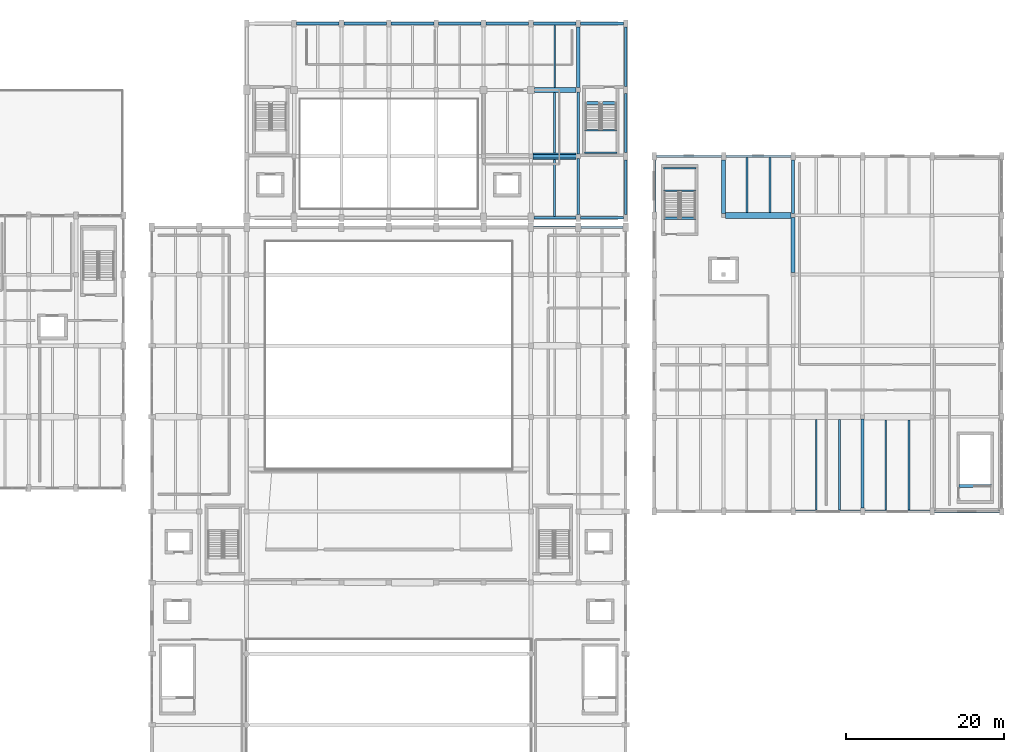
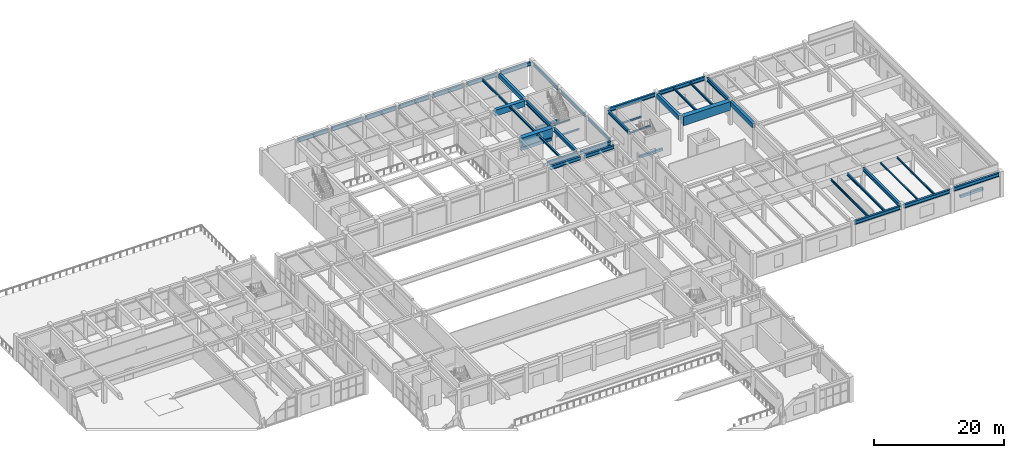
# One storey, part 43 of 80: 47 beams.
"""IFC4 building model written with IfcOpenShell, lengths in metres."""

from ifc_helpers import new_model, si_unit, direction, frame, origin, origin_2d, place, context, subcontext, project, spatial, rectangle, i_section, extrude, material, material_profile, profile_set, type_object, element, save


model = new_model("IFC4")

# Units and contexts
model_context = context("Model", 3, precision=1e-05, world=origin(), true_north=direction((0.0, 1.0)))
body_context = subcontext(model_context, "Body", "Model", "MODEL_VIEW")
ifc_project = project(units=[si_unit("LENGTHUNIT", "METRE"), si_unit("AREAUNIT", "SQUARE_METRE"), si_unit("VOLUMEUNIT", "CUBIC_METRE"), si_unit("PLANEANGLEUNIT", "RADIAN"), si_unit("MASSUNIT", "GRAM", prefix="KILO")], contexts=[model_context])

# Site, building, storey
site_placement = place(None, origin())
site = spatial("IfcSite", under=ifc_project, at=site_placement, CompositionType="ELEMENT")
building_placement = place(site_placement, origin())
building = spatial("IfcBuilding", under=site, at=building_placement, Name="Vaelkrest Opera House", CompositionType="ELEMENT")
storey_placement = place(building_placement, frame((0.0, 0.0, 15.0)))
storey = spatial("IfcBuildingStorey", under=building, at=storey_placement, Name="L03", CompositionType="ELEMENT", Elevation=15.0)

# Beams
ifc_material_1 = material(Name="Concrete C50/60", Category="concrete")
ifc_material_profile_1 = material_profile(ifc_material_1, rectangle(XDim=0.449951171875, YDim=0.75, at=origin_2d()), Name="RCB450X750")
ifc_profile_set_1 = profile_set([ifc_material_profile_1], Name="Concrete C50/60")
beam_type_1 = type_object("IfcBeamType", Name="B02", PredefinedType="BEAM", material=ifc_profile_set_1)
beam_1_placement = place(storey_placement, frame((24.0, 33.875, 4.1298828125), z_axis=(0.0, 1.0, 0.0), x_axis=(-1.0, 0.0, 0.0)))
element("IfcBeam", 1, at=beam_1_placement, inside=storey, type_object=beam_type_1, Name="Beam BM-V2-L03-1075", PredefinedType="BEAM", context=body_context, shape_type="SweptSolid", body=[
    extrude(rectangle(XDim=0.449951171875, YDim=0.75, at=origin_2d()), origin(), (0.0, 0.0, 1.0), 7.675048828125),
])
ifc_material_profile_2 = material_profile(ifc_material_1, rectangle(XDim=0.5, YDim=0.85009765625, at=origin_2d()), Name="RCB500X850")
ifc_profile_set_2 = profile_set([ifc_material_profile_2], Name="Concrete C50/60")
beam_type_2 = type_object("IfcBeamType", Name="B03", PredefinedType="BEAM", material=ifc_profile_set_2)
beam_2_placement = place(storey_placement, frame((42.39990234375, 17.949951171875, 4.080078125), z_axis=(0.0, 1.0, 0.0), x_axis=(-1.0, 0.0, 0.0)))
element("IfcBeam", 2, at=beam_2_placement, inside=storey, type_object=beam_type_2, Name="Beam BM-V4-L03-2368", PredefinedType="BEAM", context=body_context, shape_type="SweptSolid", body=[
    extrude(rectangle(XDim=0.5, YDim=0.85009765625, at=origin_2d()), origin(), (0.0, 0.0, 1.0), 6.800048828125),
])
beam_3_placement = place(storey_placement, frame((51.199951171875, 10.449951171875, 4.080078125), z_axis=(0.0, 1.0, 0.0), x_axis=(-1.0, 0.0, 0.0)))
element("IfcBeam", 3, at=beam_3_placement, inside=storey, type_object=beam_type_2, Name="Beam BM-V4-L03-2372", PredefinedType="BEAM", context=body_context, shape_type="SweptSolid", body=[
    extrude(rectangle(XDim=0.5, YDim=0.85009765625, at=origin_2d()), origin(), (0.0, 0.0, 1.0), 7.0),
])
ifc_material_profile_3 = material_profile(ifc_material_1, rectangle(XDim=0.60009765625, YDim=1.10009765625, at=origin_2d()), Name="RCB600X1100")
ifc_profile_set_3 = profile_set([ifc_material_profile_3], Name="Concrete C50/60")
beam_type_3 = type_object("IfcBeamType", Name="B05", PredefinedType="BEAM", material=ifc_profile_set_3)
beam_4_placement = place(storey_placement, frame((18.449951171875, 33.60009765625, 3.955078125), z_axis=(1.0, 0.0, 0.0), x_axis=(0.0, 1.0, 0.0)))
element("IfcBeam", 4, at=beam_4_placement, inside=storey, type_object=beam_type_3, Name="Beam BM-V2-L03-1046", PredefinedType="BEAM", context=body_context, shape_type="SweptSolid", body=[
    extrude(rectangle(XDim=0.60009765625, YDim=1.10009765625, at=origin_2d()), origin(), (0.0, 0.0, 1.0), 5.275146484375),
])
ifc_material_profile_4 = material_profile(ifc_material_1, rectangle(XDim=0.800048828125, YDim=1.64990234375, at=origin_2d()), Name="RCB800X1650")
ifc_profile_set_4 = profile_set([ifc_material_profile_4], Name="Concrete C50/60")
beam_type_4 = type_object("IfcBeamType", Name="B07", PredefinedType="BEAM", material=ifc_profile_set_4)
beam_5_placement = place(storey_placement, frame((18.27490234375, 25.199951171875, 3.679931640625), z_axis=(1.0, 0.0, 0.0), x_axis=(0.0, 1.0, 0.0)))
element("IfcBeam", 5, at=beam_5_placement, inside=storey, type_object=beam_type_4, Name="Beam BM-V2-L03-1040", PredefinedType="BEAM", context=body_context, shape_type="SweptSolid", body=[
    extrude(rectangle(XDim=0.800048828125, YDim=1.64990234375, at=origin_2d()), origin(), (0.0, 0.0, 1.0), 5.4501953125),
])
beam_6_placement = place(storey_placement, frame((42.64990234375, 17.699951171875, 3.679931640625), z_axis=(1.0, 0.0, 0.0), x_axis=(0.0, 1.0, 0.0)))
element("IfcBeam", 6, at=beam_6_placement, inside=storey, type_object=beam_type_4, Name="Beam BM-V4-L03-2352", PredefinedType="BEAM", context=body_context, shape_type="SweptSolid", body=[
    extrude(rectangle(XDim=0.800048828125, YDim=1.64990234375, at=origin_2d()), origin(), (0.0, 0.0, 1.0), 8.300048828125),
])
ifc_material_2 = material(Name="Steel A992 Gr50", Category="steel")
ifc_material_profile_5 = material_profile(ifc_material_2, i_section(OverallWidth=0.35498046875, OverallDepth=0.695068359375, WebThickness=0.015380859375, FlangeThickness=0.02490234375, at=origin_2d()), Name="W27X146")
ifc_profile_set_5 = profile_set([ifc_material_profile_5], Name="Steel A992 Gr50")
beam_type_5 = type_object("IfcBeamType", Name="B10", PredefinedType="BEAM", material=ifc_profile_set_5)
beam_7_placement = place(storey_placement, frame((24.0, 17.85009765625, 4.157470703125), z_axis=(0.0, 1.0, 0.0), x_axis=(-1.0, 0.0, 0.0)))
element("IfcBeam", 7, at=beam_7_placement, inside=storey, type_object=beam_type_5, Name="Beam BM-V2-L03-1073", PredefinedType="BEAM", context=body_context, shape_type="SweptSolid", body=[
    extrude(i_section(OverallWidth=0.35498046875, OverallDepth=0.695068359375, WebThickness=0.015380859375, FlangeThickness=0.02490234375, at=origin_2d()), origin(), (0.0, 0.0, 1.0), 7.074951171875),
])
beam_8_placement = place(storey_placement, frame((51.199951171875, 17.949951171875, 4.157470703125), z_axis=(0.0, 1.0, 0.0), x_axis=(-1.0, 0.0, 0.0)))
element("IfcBeam", 8, at=beam_8_placement, inside=storey, type_object=beam_type_5, Name="Beam BM-V4-L03-2373", PredefinedType="BEAM", context=body_context, shape_type="SweptSolid", body=[
    extrude(i_section(OverallWidth=0.35498046875, OverallDepth=0.695068359375, WebThickness=0.015380859375, FlangeThickness=0.02490234375, at=origin_2d()), origin(), (0.0, 0.0, 1.0), 6.800048828125),
])
ifc_material_profile_6 = material_profile(ifc_material_2, i_section(OverallWidth=0.35791015625, OverallDepth=0.7060546875, WebThickness=0.018310546875, FlangeThickness=0.0302734375, at=origin_2d()), Name="W27X178")
ifc_profile_set_6 = profile_set([ifc_material_profile_6], Name="Steel A992 Gr50")
beam_type_6 = type_object("IfcBeamType", Name="B14", PredefinedType="BEAM", material=ifc_profile_set_6)
beam_9_placement = place(storey_placement, frame((24.0, 25.47509765625, 4.152099609375), z_axis=(0.0, 1.0, 0.0), x_axis=(-1.0, 0.0, 0.0)))
element("IfcBeam", 9, at=beam_9_placement, inside=storey, type_object=beam_type_6, Name="Beam BM-V2-L03-1074", PredefinedType="BEAM", context=body_context, shape_type="SweptSolid", body=[
    extrude(i_section(OverallWidth=0.35791015625, OverallDepth=0.7060546875, WebThickness=0.018310546875, FlangeThickness=0.0302734375, at=origin_2d()), origin(), (0.0, 0.0, 1.0), 7.849853515625),
])
beam_10_placement = place(storey_placement, frame((60.0, -19.35009765625, 4.06689453125), z_axis=(0.0, 1.0, 0.0), x_axis=(-1.0, 0.0, 0.0)))
element("IfcBeam", 10, at=beam_10_placement, inside=storey, type_object=beam_type_6, Name="Beam BM-V4-L03-2374", PredefinedType="BEAM", context=body_context, shape_type="SweptSolid", body=[
    extrude(i_section(OverallWidth=0.35791015625, OverallDepth=0.7060546875, WebThickness=0.018310546875, FlangeThickness=0.0302734375, at=origin_2d()), origin(), (0.0, 0.0, 1.0), 11.300048828125),
])
ifc_material_profile_7 = material_profile(ifc_material_2, i_section(OverallWidth=0.2041015625, OverallDepth=0.257080078125, WebThickness=0.0087890625, FlangeThickness=0.015625, at=origin_2d()), Name="W10X45")
ifc_profile_set_7 = profile_set([ifc_material_profile_7], Name="Steel A992 Gr50")
beam_type_7 = type_object("IfcBeamType", Name="J01", PredefinedType="JOIST", material=ifc_profile_set_7)
beam_11_placement = place(storey_placement, frame((62.93310546875, -19.62255859375, 4.29150390625), z_axis=(0.0, 1.0, 0.0), x_axis=(-1.0, 0.0, 0.0)))
element("IfcBeam", 11, at=beam_11_placement, inside=storey, type_object=beam_type_7, Name="Floor joist JST-V4-L03-2401", PredefinedType="JOIST", context=body_context, shape_type="SweptSolid", body=[
    extrude(i_section(OverallWidth=0.2041015625, OverallDepth=0.257080078125, WebThickness=0.0087890625, FlangeThickness=0.015625, at=origin_2d()), origin(), (0.0, 0.0, 1.0), 11.422607421875),
])
ifc_material_profile_8 = material_profile(ifc_material_2, i_section(OverallWidth=0.202880859375, OverallDepth=0.302978515625, WebThickness=0.007568359375, FlangeThickness=0.01318359375, at=origin_2d()), Name="W12X40")
ifc_profile_set_8 = profile_set([ifc_material_profile_8], Name="Steel A992 Gr50")
beam_type_8 = type_object("IfcBeamType", Name="J02", PredefinedType="JOIST", material=ifc_profile_set_8)
beam_12_placement = place(storey_placement, frame((65.866943359375, -19.62255859375, 4.2685546875), z_axis=(0.0, 1.0, 0.0), x_axis=(-1.0, 0.0, 0.0)))
element("IfcBeam", 12, at=beam_12_placement, inside=storey, type_object=beam_type_8, Name="Floor joist JST-V4-L03-2402", PredefinedType="JOIST", context=body_context, shape_type="SweptSolid", body=[
    extrude(i_section(OverallWidth=0.202880859375, OverallDepth=0.302978515625, WebThickness=0.007568359375, FlangeThickness=0.01318359375, at=origin_2d()), origin(), (0.0, 0.0, 1.0), 11.422607421875),
])
for number, where, z_axis, x_axis, name in (
    (13, (24.780029296875, 25.6201171875, 2.048583984375), (1.0, 0.0, 0.0), (0.0, 1.0, 0.0), "Stair landing bearer beam ST06 L03-1N"),
    (14, (24.780029296875, 28.469970703125, 2.048583984375), (1.0, 0.0, 0.0), (0.0, 1.0, 0.0), "Stair landing bearer beam ST06 L03-1F"),
    (15, (34.780029296875, 20.830078125, 2.048583984375), (1.0, 0.0, 0.0), (0.0, 1.0, 0.0), "Stair landing bearer beam ST09 L03-1N"),
    (16, (34.780029296875, 23.679931640625, 2.048583984375), (1.0, 0.0, 0.0), (0.0, 1.0, 0.0), "Stair landing bearer beam ST09 L03-1F"),
):
    element("IfcBeam", number, at=place(storey_placement, frame(where, z_axis=z_axis, x_axis=x_axis)), inside=storey, type_object=beam_type_8, Name=name, PredefinedType="JOIST", context=body_context, shape_type="SweptSolid", body=[
        extrude(i_section(OverallWidth=0.202880859375, OverallDepth=0.302978515625, WebThickness=0.007568359375, FlangeThickness=0.01318359375, at=origin_2d()), origin(), (0.0, 0.0, 1.0), 4.139892578125),
    ])
ifc_material_profile_9 = material_profile(ifc_material_2, i_section(OverallWidth=0.2548828125, OverallDepth=0.35693359375, WebThickness=0.010498046875, FlangeThickness=0.018310546875, at=origin_2d()), Name="W14X68")
ifc_profile_set_9 = profile_set([ifc_material_profile_9], Name="Steel A992 Gr50")
beam_type_9 = type_object("IfcBeamType", Name="J05", PredefinedType="JOIST", material=ifc_profile_set_9)
beam_13_placement = place(storey_placement, frame((21.0, 17.577392578125, 4.326416015625), z_axis=(0.0, 1.0, 0.0), x_axis=(-1.0, 0.0, 0.0)))
element("IfcBeam", 17, at=beam_13_placement, inside=storey, type_object=beam_type_9, Name="Floor joist JST-V2-L03-1085", PredefinedType="JOIST", context=body_context, shape_type="SweptSolid", body=[
    extrude(i_section(OverallWidth=0.2548828125, OverallDepth=0.35693359375, WebThickness=0.010498046875, FlangeThickness=0.018310546875, at=origin_2d()), origin(), (0.0, 0.0, 1.0), 7.22265625),
])
beam_14_placement = place(storey_placement, frame((45.3330078125, 18.10009765625, 4.326416015625), z_axis=(0.0, 1.0, 0.0), x_axis=(-1.0, 0.0, 0.0)))
element("IfcBeam", 18, at=beam_14_placement, inside=storey, type_object=beam_type_9, Name="Floor joist JST-V4-L03-2395", PredefinedType="JOIST", context=body_context, shape_type="SweptSolid", body=[
    extrude(i_section(OverallWidth=0.2548828125, OverallDepth=0.35693359375, WebThickness=0.010498046875, FlangeThickness=0.018310546875, at=origin_2d()), origin(), (0.0, 0.0, 1.0), 6.92236328125),
])
ifc_material_profile_10 = material_profile(ifc_material_2, i_section(OverallWidth=0.257080078125, OverallDepth=0.363037109375, WebThickness=0.012939453125, FlangeThickness=0.021728515625, at=origin_2d()), Name="W14X82")
ifc_profile_set_10 = profile_set([ifc_material_profile_10], Name="Steel A992 Gr50")
beam_type_10 = type_object("IfcBeamType", Name="J06", PredefinedType="JOIST", material=ifc_profile_set_10)
beam_15_placement = place(storey_placement, frame((21.0, 25.60009765625, 4.323486328125), z_axis=(0.0, 1.0, 0.0), x_axis=(-1.0, 0.0, 0.0)))
element("IfcBeam", 19, at=beam_15_placement, inside=storey, type_object=beam_type_10, Name="Floor joist JST-V2-L03-1086", PredefinedType="JOIST", context=body_context, shape_type="SweptSolid", body=[
    extrude(i_section(OverallWidth=0.257080078125, OverallDepth=0.363037109375, WebThickness=0.012939453125, FlangeThickness=0.021728515625, at=origin_2d()), origin(), (0.0, 0.0, 1.0), 7.699951171875),
])
beam_16_placement = place(storey_placement, frame((48.26708984375, 18.10009765625, 4.323486328125), z_axis=(0.0, 1.0, 0.0), x_axis=(-1.0, 0.0, 0.0)))
element("IfcBeam", 20, at=beam_16_placement, inside=storey, type_object=beam_type_10, Name="Floor joist JST-V4-L03-2396", PredefinedType="JOIST", context=body_context, shape_type="SweptSolid", body=[
    extrude(i_section(OverallWidth=0.257080078125, OverallDepth=0.363037109375, WebThickness=0.012939453125, FlangeThickness=0.021728515625, at=origin_2d()), origin(), (0.0, 0.0, 1.0), 6.92236328125),
])
ifc_material_profile_11 = material_profile(ifc_material_2, i_section(OverallWidth=0.180908203125, OverallDepth=0.4169921875, WebThickness=0.010986328125, FlangeThickness=0.018310546875, at=origin_2d()), Name="W16X57")
ifc_profile_set_11 = profile_set([ifc_material_profile_11], Name="Steel A992 Gr50")
beam_type_11 = type_object("IfcBeamType", Name="J07", PredefinedType="JOIST", material=ifc_profile_set_11)
beam_17_placement = place(storey_placement, frame((21.0, 33.89990234375, 4.29638671875), z_axis=(0.0, 1.0, 0.0), x_axis=(-1.0, 0.0, 0.0)))
element("IfcBeam", 21, at=beam_17_placement, inside=storey, type_object=beam_type_11, Name="Floor joist JST-V2-L03-1087", PredefinedType="JOIST", context=body_context, shape_type="SweptSolid", body=[
    extrude(i_section(OverallWidth=0.180908203125, OverallDepth=0.4169921875, WebThickness=0.010986328125, FlangeThickness=0.018310546875, at=origin_2d()), origin(), (0.0, 0.0, 1.0), 7.922607421875),
])
beam_18_placement = place(storey_placement, frame((54.133056640625, -19.62255859375, 4.21142578125), z_axis=(0.0, 1.0, 0.0), x_axis=(-1.0, 0.0, 0.0)))
element("IfcBeam", 22, at=beam_18_placement, inside=storey, type_object=beam_type_11, Name="Floor joist JST-V4-L03-2397", PredefinedType="JOIST", context=body_context, shape_type="SweptSolid", body=[
    extrude(i_section(OverallWidth=0.180908203125, OverallDepth=0.4169921875, WebThickness=0.010986328125, FlangeThickness=0.018310546875, at=origin_2d()), origin(), (0.0, 0.0, 1.0), 11.47265625),
])
ifc_material_profile_12 = material_profile(ifc_material_2, i_section(OverallWidth=0.261962890625, OverallDepth=0.4189453125, WebThickness=0.01171875, FlangeThickness=0.019287109375, at=origin_2d()), Name="W16X77")
ifc_profile_set_12 = profile_set([ifc_material_profile_12], Name="Steel A992 Gr50")
beam_type_12 = type_object("IfcBeamType", Name="J08", PredefinedType="JOIST", material=ifc_profile_set_12)
beam_19_placement = place(storey_placement, frame((57.06689453125, -19.62255859375, 4.21044921875), z_axis=(0.0, 1.0, 0.0), x_axis=(-1.0, 0.0, 0.0)))
element("IfcBeam", 23, at=beam_19_placement, inside=storey, type_object=beam_type_12, Name="Floor joist JST-V4-L03-2398", PredefinedType="JOIST", context=body_context, shape_type="SweptSolid", body=[
    extrude(i_section(OverallWidth=0.261962890625, OverallDepth=0.4189453125, WebThickness=0.01171875, FlangeThickness=0.019287109375, at=origin_2d()), origin(), (0.0, 0.0, 1.0), 11.47265625),
])
ifc_material_profile_13 = material_profile(ifc_material_1, rectangle(XDim=0.35009765625, YDim=0.449951171875, at=origin_2d()), Name="RCB350X450")
ifc_profile_set_13 = profile_set([ifc_material_profile_13], Name="Concrete C50/60")
beam_type_13 = type_object("IfcBeamType", Name="LN01", PredefinedType="LINTEL", material=ifc_profile_set_13)
for number, where, z_axis, x_axis, name in (
    (24, (24.780029296875, 31.949951171875, -0.22509765625), (1.0, 0.0, 0.0), (0.0, 1.0, 0.0), "Stairwell trimmer beam ST06 L03"),
    (25, (34.780029296875, 17.35009765625, -0.22509765625), (1.0, 0.0, 0.0), (0.0, 1.0, 0.0), "Stairwell trimmer beam ST09 L03"),
):
    element("IfcBeam", number, at=place(storey_placement, frame(where, z_axis=z_axis, x_axis=x_axis)), inside=storey, type_object=beam_type_13, Name=name, PredefinedType="LINTEL", context=body_context, shape_type="SweptSolid", body=[
        extrude(rectangle(XDim=0.35009765625, YDim=0.449951171875, at=origin_2d()), origin(), (0.0, 0.0, 1.0), 4.139892578125),
    ])
beam_20_placement = place(storey_placement, frame((72.179931640625, -16.550048828125, -0.22509765625), z_axis=(1.0, 0.0, 0.0), x_axis=(0.0, 1.0, 0.0)))
element("IfcBeam", 26, at=beam_20_placement, inside=storey, type_object=beam_type_13, Name="Stairwell trimmer beam ST10 L03", PredefinedType="LINTEL", context=body_context, shape_type="SweptSolid", body=[
    extrude(rectangle(XDim=0.35009765625, YDim=0.449951171875, at=origin_2d()), origin(), (0.0, 0.0, 1.0), 4.14013671875),
])
ifc_material_profile_14 = material_profile(ifc_material_1, rectangle(XDim=0.39990234375, YDim=0.52001953125, at=origin_2d()), Name="RCB400X520")
ifc_profile_set_14 = profile_set([ifc_material_profile_14], Name="Concrete C50/60")
beam_type_14 = type_object("IfcBeamType", Name="LN02", PredefinedType="LINTEL", material=ifc_profile_set_14)
beam_21_placement = place(storey_placement, frame((18.25, 25.199951171875, 2.300048828125), z_axis=(1.0, 0.0, 0.0), x_axis=(0.0, 1.0, 0.0)))
element("IfcBeam", 27, at=beam_21_placement, inside=storey, type_object=beam_type_14, Name="Portal lintel L03-2", PredefinedType="LINTEL", context=body_context, shape_type="SweptSolid", body=[
    extrude(rectangle(XDim=0.39990234375, YDim=0.52001953125, at=origin_2d()), origin(), (0.0, 0.0, 1.0), 5.5),
])
ifc_material_profile_15 = material_profile(ifc_material_2, i_section(OverallWidth=0.323974609375, OverallDepth=0.611083984375, WebThickness=0.0126953125, FlangeThickness=0.01904296875, at=origin_2d()), Name="W24X104")
ifc_profile_set_15 = profile_set([ifc_material_profile_15], Name="Steel A992 Gr50")
beam_type_15 = type_object("IfcBeamType", Name="SP01", PredefinedType="SPANDREL", material=ifc_profile_set_15)
beam_22_placement = place(storey_placement, frame((30.0, 17.85009765625, 4.199462890625), z_axis=(0.0, 1.0, 0.0), x_axis=(-1.0, 0.0, 0.0)))
element("IfcBeam", 28, at=beam_22_placement, inside=storey, type_object=beam_type_15, Name="Beam BM-V2-L03-1076", PredefinedType="SPANDREL", context=body_context, shape_type="SweptSolid", body=[
    extrude(i_section(OverallWidth=0.323974609375, OverallDepth=0.611083984375, WebThickness=0.0126953125, FlangeThickness=0.01904296875, at=origin_2d()), origin(), (0.0, 0.0, 1.0), 6.89990234375),
])
for number, where, z_axis, x_axis, name in (
    (29, (30.0, 25.64990234375, 4.199462890625), (0.0, 1.0, 0.0), (-1.0, 0.0, 0.0), "Beam BM-V2-L03-1077"),
    (30, (30.0, 34.050048828125, 4.199462890625), (0.0, 1.0, 0.0), (-1.0, 0.0, 0.0), "Beam BM-V2-L03-1078"),
):
    element("IfcBeam", number, at=place(storey_placement, frame(where, z_axis=z_axis, x_axis=x_axis)), inside=storey, type_object=beam_type_15, Name=name, PredefinedType="SPANDREL", context=body_context, shape_type="SweptSolid", body=[
        extrude(i_section(OverallWidth=0.323974609375, OverallDepth=0.611083984375, WebThickness=0.0126953125, FlangeThickness=0.01904296875, at=origin_2d()), origin(), (0.0, 0.0, 1.0), 7.5),
    ])
beam_23_placement = place(storey_placement, frame((33.60009765625, 18.14990234375, 4.199462890625), z_axis=(0.0, 1.0, 0.0), x_axis=(-1.0, 0.0, 0.0)))
element("IfcBeam", 31, at=beam_23_placement, inside=storey, type_object=beam_type_15, Name="Beam BM-V4-L03-2365", PredefinedType="SPANDREL", context=body_context, shape_type="SweptSolid", body=[
    extrude(i_section(OverallWidth=0.323974609375, OverallDepth=0.611083984375, WebThickness=0.0126953125, FlangeThickness=0.01904296875, at=origin_2d()), origin(), (0.0, 0.0, 1.0), 6.60009765625),
])
ifc_material_profile_16 = material_profile(ifc_material_2, i_section(OverallWidth=0.35498046875, OverallDepth=0.695068359375, WebThickness=0.015380859375, FlangeThickness=0.02490234375, at=origin_2d()), Name="W27X146")
ifc_profile_set_16 = profile_set([ifc_material_profile_16], Name="Steel A992 Gr50")
beam_type_16 = type_object("IfcBeamType", Name="SP02", PredefinedType="SPANDREL", material=ifc_profile_set_16)
for number, where, z_axis, x_axis, name in (
    (32, (18.35009765625, 16.199951171875, 4.157470703125), (1.0, 0.0, 0.0), (0.0, 1.0, 0.0), "Beam BM-V1-L03-0471"),
    (33, (24.35009765625, 16.199951171875, 4.157470703125), (1.0, 0.0, 0.0), (0.0, 1.0, 0.0), "Beam BM-V1-L03-0472"),
):
    element("IfcBeam", number, at=place(storey_placement, frame(where, z_axis=z_axis, x_axis=x_axis)), inside=storey, type_object=beam_type_16, Name=name, PredefinedType="SPANDREL", context=body_context, shape_type="SweptSolid", body=[
        extrude(i_section(OverallWidth=0.35498046875, OverallDepth=0.695068359375, WebThickness=0.015380859375, FlangeThickness=0.02490234375, at=origin_2d()), origin(), (0.0, 0.0, 1.0), 5.2998046875),
    ])
beam_24_placement = place(storey_placement, frame((18.39990234375, 17.39990234375, 4.157470703125), z_axis=(1.0, 0.0, 0.0), x_axis=(0.0, 1.0, 0.0)))
element("IfcBeam", 34, at=beam_24_placement, inside=storey, type_object=beam_type_16, Name="Beam BM-V2-L03-1036", PredefinedType="SPANDREL", context=body_context, shape_type="SweptSolid", body=[
    extrude(i_section(OverallWidth=0.35498046875, OverallDepth=0.695068359375, WebThickness=0.015380859375, FlangeThickness=0.02490234375, at=origin_2d()), origin(), (0.0, 0.0, 1.0), 5.300048828125),
])
for number, where, z_axis, x_axis, name in (
    (35, (24.300048828125, 17.39990234375, 4.157470703125), (1.0, 0.0, 0.0), (0.0, 1.0, 0.0), "Beam BM-V2-L03-1037"),
    (36, (-11.699951171875, 42.0, 4.157470703125), (1.0, 0.0, 0.0), (0.0, 1.0, 0.0), "Beam BM-V2-L03-1048"),
    (37, (-5.699951171875, 42.0, 4.157470703125), (1.0, 0.0, 0.0), (0.0, 1.0, 0.0), "Beam BM-V2-L03-1049"),
    (38, (0.300048828125, 42.0, 4.157470703125), (1.0, 0.0, 0.0), (0.0, 1.0, 0.0), "Beam BM-V2-L03-1050"),
    (39, (6.300048828125, 42.0, 4.157470703125), (1.0, 0.0, 0.0), (0.0, 1.0, 0.0), "Beam BM-V2-L03-1051"),
    (40, (12.300048828125, 42.0, 4.157470703125), (1.0, 0.0, 0.0), (0.0, 1.0, 0.0), "Beam BM-V2-L03-1052"),
    (41, (18.300048828125, 42.0, 4.157470703125), (1.0, 0.0, 0.0), (0.0, 1.0, 0.0), "Beam BM-V2-L03-1053"),
    (42, (24.300048828125, 42.0, 4.157470703125), (1.0, 0.0, 0.0), (0.0, 1.0, 0.0), "Beam BM-V2-L03-1054"),
):
    element("IfcBeam", number, at=place(storey_placement, frame(where, z_axis=z_axis, x_axis=x_axis)), inside=storey, type_object=beam_type_16, Name=name, PredefinedType="SPANDREL", context=body_context, shape_type="SweptSolid", body=[
        extrude(i_section(OverallWidth=0.35498046875, OverallDepth=0.695068359375, WebThickness=0.015380859375, FlangeThickness=0.02490234375, at=origin_2d()), origin(), (0.0, 0.0, 1.0), 5.39990234375),
    ])
for number, where, z_axis, x_axis, name in (
    (43, (51.5, -19.800048828125, 4.072509765625), (1.0, 0.0, 0.0), (0.0, 1.0, 0.0), "Beam BM-V4-L03-2338"),
    (44, (60.300048828125, -19.800048828125, 4.072509765625), (1.0, 0.0, 0.0), (0.0, 1.0, 0.0), "Beam BM-V4-L03-2339"),
    (45, (69.10009765625, -19.800048828125, 4.157470703125), (1.0, 0.0, 0.0), (0.0, 1.0, 0.0), "Beam BM-V4-L03-2340"),
):
    element("IfcBeam", number, at=place(storey_placement, frame(where, z_axis=z_axis, x_axis=x_axis)), inside=storey, type_object=beam_type_16, Name=name, PredefinedType="SPANDREL", context=body_context, shape_type="SweptSolid", body=[
        extrude(i_section(OverallWidth=0.35498046875, OverallDepth=0.695068359375, WebThickness=0.015380859375, FlangeThickness=0.02490234375, at=origin_2d()), origin(), (0.0, 0.0, 1.0), 8.199951171875),
    ])
beam_25_placement = place(storey_placement, frame((33.89990234375, 25.199951171875, 4.157470703125), z_axis=(1.0, 0.0, 0.0), x_axis=(0.0, 1.0, 0.0)))
element("IfcBeam", 46, at=beam_25_placement, inside=storey, type_object=beam_type_16, Name="Beam BM-V4-L03-2356", PredefinedType="SPANDREL", context=body_context, shape_type="SweptSolid", body=[
    extrude(i_section(OverallWidth=0.35498046875, OverallDepth=0.695068359375, WebThickness=0.015380859375, FlangeThickness=0.02490234375, at=origin_2d()), origin(), (0.0, 0.0, 1.0), 8.2001953125),
])
beam_26_placement = place(storey_placement, frame((42.699951171875, 25.199951171875, 4.157470703125), z_axis=(1.0, 0.0, 0.0), x_axis=(0.0, 1.0, 0.0)))
element("IfcBeam", 47, at=beam_26_placement, inside=storey, type_object=beam_type_16, Name="Beam BM-V4-L03-2357", PredefinedType="SPANDREL", context=body_context, shape_type="SweptSolid", body=[
    extrude(i_section(OverallWidth=0.35498046875, OverallDepth=0.695068359375, WebThickness=0.015380859375, FlangeThickness=0.02490234375, at=origin_2d()), origin(), (0.0, 0.0, 1.0), 8.199951171875),
])

save(model, "model.ifc")
